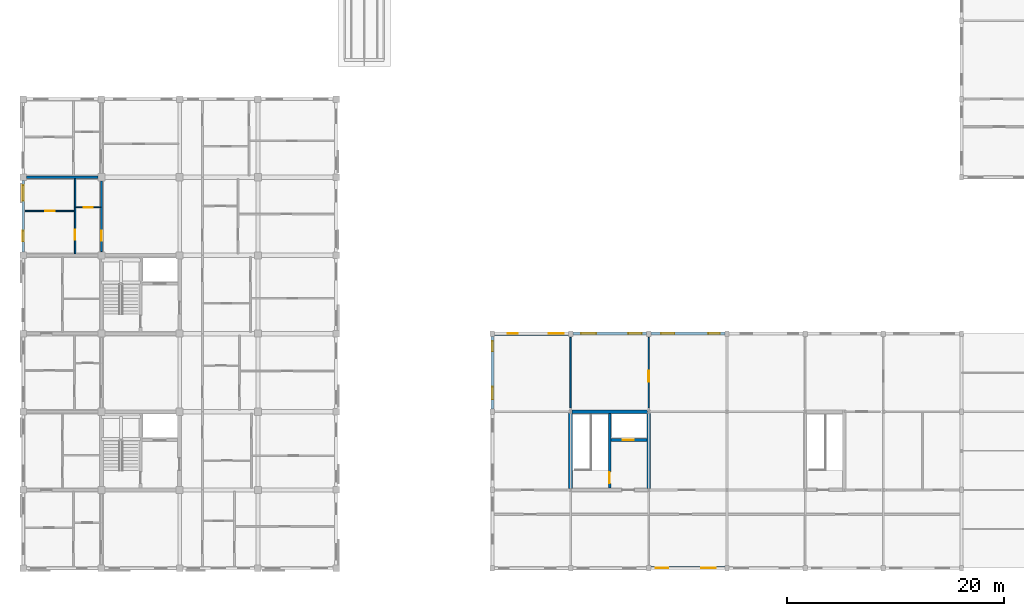
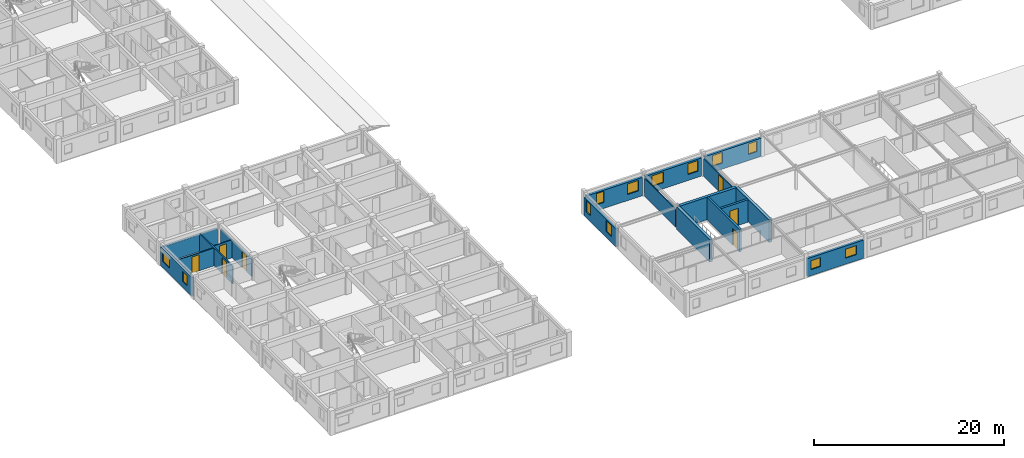
# One storey, part 17 of 50: 18 walls, 12 windows, 7 doors, 19 openings.
"""IFC4 building model written with IfcOpenShell, lengths in metres."""

from ifc_helpers import new_model, si_unit, direction, frame, frame_2d, origin, place, context, subcontext, project, spatial, rectangle, extrude, material, layer, layer_set, type_object, element, fill, save


model = new_model("IFC4")

# Units and contexts
model_context = context("Model", 3, precision=1e-05, world=origin(), true_north=direction((0.0, 1.0)))
body_context = subcontext(model_context, "Body", "Model", "MODEL_VIEW")
ifc_project = project(units=[si_unit("LENGTHUNIT", "METRE"), si_unit("AREAUNIT", "SQUARE_METRE"), si_unit("VOLUMEUNIT", "CUBIC_METRE"), si_unit("PLANEANGLEUNIT", "RADIAN"), si_unit("MASSUNIT", "GRAM", prefix="KILO"), si_unit("THERMODYNAMICTEMPERATUREUNIT", "KELVIN"), si_unit("POWERUNIT", "WATT")], contexts=[model_context])

# Site, building, storey
site_placement = place(None, origin())
site = spatial("IfcSite", under=ifc_project, at=site_placement, CompositionType="ELEMENT")
building_placement = place(site_placement, origin())
building = spatial("IfcBuilding", under=site, at=building_placement, Name="Tavuni Mirador Residences", CompositionType="ELEMENT")
storey_placement = place(building_placement, frame((0.0, 0.0, 4.5)))
storey = spatial("IfcBuildingStorey", under=building, at=storey_placement, Name="L01", CompositionType="ELEMENT", Elevation=4.5)

# Wall, opening, door
ifc_material_1 = material(Name="Precast concrete C40/50", Category="concrete")
ifc_layer_1 = layer(ifc_material_1, 0.25, Name="Precast concrete C40/50", Category="concrete")
ifc_layer_set_1 = layer_set([ifc_layer_1], Name="Precast concrete C40/50")
wall_type_1 = type_object("IfcWallType", Name="WT-COR250", PredefinedType="SHEAR", material=ifc_layer_set_1)
wall_1_placement = place(storey_placement, frame((57.60009765625, 14.580078125, 0.0), z_axis=(0.0, 0.0, 1.0), x_axis=(0.0, 1.0, 0.0)))
wall_1 = element("IfcWall", 1, at=wall_1_placement, inside=storey, type_object=wall_type_1, Name="CWALL-CS1-L01-MID", PredefinedType="SHEAR", context=body_context, shape_type="SweptSolid", body=[
    extrude(rectangle(XDim=6.83984375, YDim=0.25, at=frame_2d((3.419921875, 0.0))), origin(), (0.0, 0.0, 1.0), 2.889892578125),
])
opening_1_placement = place(wall_1_placement, frame((0.419921875, 0.0, 0.0)))
opening_1 = element("IfcOpeningElement", 2, at=opening_1_placement, cuts=wall_1, Name="Opening D-01", PredefinedType="OPENING", context=body_context, shape_type="SweptSolid", body=[
    extrude(rectangle(XDim=1.050048828125, YDim=2.14990234375, at=frame_2d((0.52490234375, 1.074951171875))), frame((0.0, 0.135009765625, 0.0), z_axis=(0.0, -1.0, 0.0), x_axis=(1.0, 0.0, 0.0)), (0.0, 0.0, 1.0), 0.27001953125),
])
ifc_material_2 = material(Name="Solid core iroko timber", Category="wood")
door_type_1 = type_object("IfcDoorType", Name="DT-ST1050", OperationType="NOTDEFINED", PredefinedType="DOOR", material=ifc_material_2)
door_1_placement = place(opening_1_placement, origin())
door_1 = element("IfcDoor", 3, at=door_1_placement, inside=storey, type_object=door_type_1, Name="DR-2361", OperationType="SINGLE_SWING_LEFT", OverallHeight=2.14990234375, OverallWidth=1.050048828125, PredefinedType="DOOR", context=body_context, shape_type="SweptSolid", body=[
    extrude(rectangle(XDim=1.050048828125, YDim=2.14990234375, at=frame_2d((0.52490234375, 1.074951171875))), frame((0.0, 0.02490234375, 0.0), z_axis=(0.0, -1.0, 0.0), x_axis=(1.0, 0.0, 0.0)), (0.0, 0.0, 1.0), 0.050048828125),
])
fill(opening_1, door_1)

wall_2_placement = place(storey_placement, frame((57.72509765625, 19.0, 0.0), z_axis=(0.0, 0.0, 1.0), x_axis=(1.0, 0.0, 0.0)))
wall_2 = element("IfcWall", 4, at=wall_2_placement, inside=storey, type_object=wall_type_1, Name="CWALL-CS1-L01-SHF", PredefinedType="SHEAR", context=body_context, shape_type="SweptSolid", body=[
    extrude(rectangle(XDim=3.294921875, YDim=0.25, at=frame_2d((1.6474609375, 0.0))), origin(), (0.0, 0.0, 1.0), 2.889892578125),
])
opening_2_placement = place(wall_2_placement, frame((1.10009765625, 0.0, 0.0)))
opening_2 = element("IfcOpeningElement", 5, at=opening_2_placement, cuts=wall_2, Name="Opening LD-02", PredefinedType="OPENING", context=body_context, shape_type="SweptSolid", body=[
    extrude(rectangle(XDim=1.0, YDim=2.199951171875, at=frame_2d((0.5, 1.10009765625))), frame((0.0, 0.135009765625, 0.0), z_axis=(0.0, -1.0, 0.0), x_axis=(1.0, 0.0, 0.0)), (0.0, 0.0, 1.0), 0.27001953125),
])
ifc_material_3 = material(Name="Structural steel S355", Category="steel")
door_type_2 = type_object("IfcDoorType", Name="DT-LD-PAX", OperationType="SLIDING_TO_LEFT", PredefinedType="DOOR", material=ifc_material_3)
door_2_placement = place(opening_2_placement, origin())
door_2 = element("IfcDoor", 6, at=door_2_placement, inside=storey, type_object=door_type_2, Name="Lift landing door PL-S1 L01", OperationType="SLIDING_TO_LEFT", OverallHeight=2.199951171875, OverallWidth=1.0, PredefinedType="DOOR", context=body_context, shape_type="SweptSolid", body=[
    extrude(rectangle(XDim=1.0, YDim=2.199951171875, at=frame_2d((0.5, 1.10009765625))), frame((0.0, 0.02490234375, 0.0), z_axis=(0.0, -1.0, 0.0), x_axis=(1.0, 0.0, 0.0)), (0.0, 0.0, 1.0), 0.050048828125),
])
fill(opening_2, door_2)

# Walls
ifc_layer_2 = layer(ifc_material_1, 0.360107421875, Name="Precast concrete C40/50", Category="concrete")
ifc_layer_set_2 = layer_set([ifc_layer_2], Name="Precast concrete C40/50")
wall_type_2 = type_object("IfcWallType", Name="WT-COR360", PredefinedType="SHEAR", material=ifc_layer_set_2)
for number, where, z_axis, x_axis, name in (
    (7, (54.0, 14.52001953125, 0.0), (0.0, 0.0, 1.0), (0.0, 1.0, 0.0), "CWALL-CS1-L01-W"),
    (8, (54.1201171875, 21.60009765625, 0.0), (0.0, 0.0, 1.0), (1.0, 0.0, 0.0), "CWALL-CS1-L01-N"),
    (9, (61.199951171875, 14.52001953125, 0.0), (0.0, 0.0, 1.0), (0.0, 1.0, 0.0), "CWALL-CS1-L01-E"),
):
    element("IfcWall", number, at=place(storey_placement, frame(where, z_axis=z_axis, x_axis=x_axis)), inside=storey, type_object=wall_type_2, Name=name, PredefinedType="SHEAR", context=body_context, shape_type="SweptSolid", body=[
        extrude(rectangle(XDim=6.9599609375, YDim=0.360107421875, at=frame_2d((3.47998046875, 0.0))), origin(), (0.0, 0.0, 1.0), 2.889892578125),
    ])

# Wall, opening, door
ifc_layer_3 = layer(ifc_material_1, 0.1650390625, Name="Precast concrete C40/50", Category="concrete")
ifc_layer_set_3 = layer_set([ifc_layer_3], Name="Precast concrete C40/50")
wall_type_3 = type_object("IfcWallType", Name="WT-CORR165", PredefinedType="PARTITIONING", material=ifc_layer_set_3)
wall_3_placement = place(storey_placement, frame((10.800048828125, 36.35009765625, 0.0), z_axis=(0.0, 0.0, 1.0), x_axis=(0.0, 1.0, 0.0)))
wall_3 = element("IfcWall", 10, at=wall_3_placement, inside=storey, type_object=wall_type_3, Name="CORW-BLK-A-L01-1-04", PredefinedType="PARTITIONING", context=body_context, shape_type="SweptSolid", body=[
    extrude(rectangle(XDim=6.5, YDim=0.1650390625, at=frame_2d((3.25, 0.0))), origin(), (0.0, 0.0, 1.0), 2.219970703125),
])
opening_3_placement = place(wall_3_placement, frame((1.0, 0.0, 0.0)))
opening_3 = element("IfcOpeningElement", 11, at=opening_3_placement, cuts=wall_3, Name="Opening D-19", PredefinedType="OPENING", context=body_context, shape_type="SweptSolid", body=[
    extrude(rectangle(XDim=0.93994140625, YDim=2.1201171875, at=frame_2d((0.469970703125, 1.06005859375))), frame((0.0, 0.092529296875, 0.0), z_axis=(0.0, -1.0, 0.0), x_axis=(1.0, 0.0, 0.0)), (0.0, 0.0, 1.0), 0.18505859375),
])
door_type_3 = type_object("IfcDoorType", Name="DT-FD60-940", OperationType="NOTDEFINED", PredefinedType="DOOR", material=ifc_material_2)
door_3_placement = place(opening_3_placement, origin())
door_3 = element("IfcDoor", 12, at=door_3_placement, inside=storey, type_object=door_type_3, Name="DR-2401", OperationType="SINGLE_SWING_RIGHT", OverallHeight=2.1201171875, OverallWidth=0.93994140625, PredefinedType="DOOR", context=body_context, shape_type="SweptSolid", body=[
    extrude(rectangle(XDim=0.93994140625, YDim=2.1201171875, at=frame_2d((0.469970703125, 1.06005859375))), frame((0.0, 0.02490234375, 0.0), z_axis=(0.0, -1.0, 0.0), x_axis=(1.0, 0.0, 0.0)), (0.0, 0.0, 1.0), 0.050048828125),
])
fill(opening_3, door_3)

# Wall, openings, windows
ifc_material_4 = material(Name="Sgraffito lime-rendered precast concrete C40/50", Category="concrete")
ifc_layer_4 = layer(ifc_material_4, 0.2548828125, Name="Sgraffito lime-rendered precast concrete C40/50", Category="concrete")
ifc_layer_set_4 = layer_set([ifc_layer_4], Name="Sgraffito lime-rendered precast concrete C40/50")
wall_type_4 = type_object("IfcWallType", Name="WT-EXT-PC255", PredefinedType="SOLIDWALL", material=ifc_layer_set_4)
wall_4_placement = place(storey_placement, frame((3.60009765625, 42.89990234375, 0.0), z_axis=(0.0, 0.0, 1.0), x_axis=(0.0, -1.0, 0.0)))
wall_4 = element("IfcWall", 13, at=wall_4_placement, inside=storey, type_object=wall_type_4, Name="EW-BLK-A-L01-W04", PredefinedType="SOLIDWALL", context=body_context, shape_type="SweptSolid", body=[
    extrude(rectangle(XDim=6.599853515625, YDim=0.2548828125, at=frame_2d((3.2998046875, 0.0))), origin(), (0.0, 0.0, 1.0), 2.43994140625),
])
opening_4_placement = place(wall_4_placement, frame((0.449951171875, 0.0, 0.780029296875)))
opening_4 = element("IfcOpeningElement", 14, at=opening_4_placement, cuts=wall_4, Name="Opening WN-08", PredefinedType="OPENING", context=body_context, shape_type="SweptSolid", body=[
    extrude(rectangle(XDim=1.39990234375, YDim=1.14990234375, at=frame_2d((0.699951171875, 0.574951171875))), frame((0.0, 0.137451171875, 0.0), z_axis=(0.0, -1.0, 0.0), x_axis=(1.0, 0.0, 0.0)), (0.0, 0.0, 1.0), 0.27490234375),
])
opening_5_placement = place(wall_4_placement, frame((4.64990234375, 0.0, 0.780029296875)))
opening_5 = element("IfcOpeningElement", 15, at=opening_5_placement, cuts=wall_4, Name="Opening WN-10", PredefinedType="OPENING", context=body_context, shape_type="SweptSolid", body=[
    extrude(rectangle(XDim=0.9599609375, YDim=1.260009765625, at=frame_2d((0.47998046875, 0.6298828125))), frame((0.0, 0.137451171875, 0.0), z_axis=(0.0, -1.0, 0.0), x_axis=(1.0, 0.0, 0.0)), (0.0, 0.0, 1.0), 0.27490234375),
])
ifc_material_5 = material(Name="Laminated solar-control glass", Category="glass")
window_type_1 = type_object("IfcWindowType", Name="WNT-08", PartitioningType="SINGLE_PANEL", PredefinedType="WINDOW", material=ifc_material_5)
window_1_placement = place(opening_4_placement, origin())
window_1 = element("IfcWindow", 16, at=window_1_placement, inside=storey, type_object=window_type_1, Name="WIN-0066", OverallHeight=1.14990234375, OverallWidth=1.39990234375, PartitioningType="SINGLE_PANEL", PredefinedType="WINDOW", context=body_context, shape_type="SweptSolid", body=[
    extrude(rectangle(XDim=1.39990234375, YDim=1.14990234375, at=frame_2d((0.699951171875, 0.574951171875))), frame((0.0, 0.030029296875, 0.0), z_axis=(0.0, -1.0, 0.0), x_axis=(1.0, 0.0, 0.0)), (0.0, 0.0, 1.0), 0.06005859375),
])
fill(opening_4, window_1)
window_type_2 = type_object("IfcWindowType", Name="WNT-10", PartitioningType="SINGLE_PANEL", PredefinedType="WINDOW", material=ifc_material_5)
window_2_placement = place(opening_5_placement, origin())
window_2 = element("IfcWindow", 17, at=window_2_placement, inside=storey, type_object=window_type_2, Name="WIN-0067", OverallHeight=1.260009765625, OverallWidth=0.9599609375, PartitioningType="SINGLE_PANEL", PredefinedType="WINDOW", context=body_context, shape_type="SweptSolid", body=[
    extrude(rectangle(XDim=0.9599609375, YDim=1.260009765625, at=frame_2d((0.47998046875, 0.6298828125))), frame((0.0, 0.030029296875, 0.0), z_axis=(0.0, -1.0, 0.0), x_axis=(1.0, 0.0, 0.0)), (0.0, 0.0, 1.0), 0.06005859375),
])
fill(opening_5, window_2)

ifc_layer_5 = layer(ifc_material_4, 0.2900390625, Name="Sgraffito lime-rendered precast concrete C40/50", Category="concrete")
ifc_layer_set_5 = layer_set([ifc_layer_5], Name="Sgraffito lime-rendered precast concrete C40/50")
wall_type_5 = type_object("IfcWallType", Name="WT-EXT-PC290", PredefinedType="SOLIDWALL", material=ifc_layer_set_5)
wall_5_placement = place(storey_placement, frame((61.39990234375, 7.199951171875, 0.0), z_axis=(0.0, 0.0, 1.0), x_axis=(1.0, 0.0, 0.0)))
wall_5 = element("IfcWall", 18, at=wall_5_placement, inside=storey, type_object=wall_type_5, Name="EW-PAV-SHOP-L01-S02", PredefinedType="SOLIDWALL", context=body_context, shape_type="SweptSolid", body=[
    extrude(rectangle(XDim=6.800048828125, YDim=0.2900390625, at=frame_2d((3.39990234375, 0.0))), origin(), (0.0, 0.0, 1.0), 2.340087890625),
])
opening_6_placement = place(wall_5_placement, frame((0.449951171875, 0.0, 0.780029296875)))
opening_6 = element("IfcOpeningElement", 19, at=opening_6_placement, cuts=wall_5, Name="Opening WN-05", PredefinedType="OPENING", context=body_context, shape_type="SweptSolid", body=[
    extrude(rectangle(XDim=1.159912109375, YDim=1.14990234375, at=frame_2d((0.580078125, 0.574951171875))), frame((0.0, 0.155029296875, 0.0), z_axis=(0.0, -1.0, 0.0), x_axis=(1.0, 0.0, 0.0)), (0.0, 0.0, 1.0), 0.31005859375),
])
opening_7_placement = place(wall_5_placement, frame((4.64990234375, 0.0, 0.780029296875)))
opening_7 = element("IfcOpeningElement", 20, at=opening_7_placement, cuts=wall_5, Name="Opening WN-07", PredefinedType="OPENING", context=body_context, shape_type="SweptSolid", body=[
    extrude(rectangle(XDim=1.320068359375, YDim=1.14990234375, at=frame_2d((0.66015625, 0.574951171875))), frame((0.0, 0.155029296875, 0.0), z_axis=(0.0, -1.0, 0.0), x_axis=(1.0, 0.0, 0.0)), (0.0, 0.0, 1.0), 0.31005859375),
])
window_type_3 = type_object("IfcWindowType", Name="WNT-05", PartitioningType="SINGLE_PANEL", PredefinedType="WINDOW", material=ifc_material_5)
window_3_placement = place(opening_6_placement, origin())
window_3 = element("IfcWindow", 21, at=window_3_placement, inside=storey, type_object=window_type_3, Name="WIN-1893", OverallHeight=1.14990234375, OverallWidth=1.159912109375, PartitioningType="SINGLE_PANEL", PredefinedType="WINDOW", context=body_context, shape_type="SweptSolid", body=[
    extrude(rectangle(XDim=1.159912109375, YDim=1.14990234375, at=frame_2d((0.580078125, 0.574951171875))), frame((0.0, 0.030029296875, 0.0), z_axis=(0.0, -1.0, 0.0), x_axis=(1.0, 0.0, 0.0)), (0.0, 0.0, 1.0), 0.06005859375),
])
fill(opening_6, window_3)
window_type_4 = type_object("IfcWindowType", Name="WNT-07", PartitioningType="SINGLE_PANEL", PredefinedType="WINDOW", material=ifc_material_5)
window_4_placement = place(opening_7_placement, origin())
window_4 = element("IfcWindow", 22, at=window_4_placement, inside=storey, type_object=window_type_4, Name="WIN-1894", OverallHeight=1.14990234375, OverallWidth=1.320068359375, PartitioningType="SINGLE_PANEL", PredefinedType="WINDOW", context=body_context, shape_type="SweptSolid", body=[
    extrude(rectangle(XDim=1.320068359375, YDim=1.14990234375, at=frame_2d((0.66015625, 0.574951171875))), frame((0.0, 0.030029296875, 0.0), z_axis=(0.0, -1.0, 0.0), x_axis=(1.0, 0.0, 0.0)), (0.0, 0.0, 1.0), 0.06005859375),
])
fill(opening_7, window_4)

wall_6_placement = place(storey_placement, frame((68.199951171875, 28.800048828125, 0.0), z_axis=(0.0, 0.0, 1.0), x_axis=(-1.0, 0.0, 0.0)))
wall_6 = element("IfcWall", 23, at=wall_6_placement, inside=storey, type_object=wall_type_5, Name="EW-PAV-SHOP-L01-N02", PredefinedType="SOLIDWALL", context=body_context, shape_type="SweptSolid", body=[
    extrude(rectangle(XDim=6.800048828125, YDim=0.2900390625, at=frame_2d((3.39990234375, 0.0))), origin(), (0.0, 0.0, 1.0), 2.340087890625),
])
opening_8_placement = place(wall_6_placement, frame((0.449951171875, 0.0, 0.780029296875)))
opening_8 = element("IfcOpeningElement", 24, at=opening_8_placement, cuts=wall_6, Name="Opening WN-19", PredefinedType="OPENING", context=body_context, shape_type="SweptSolid", body=[
    extrude(rectangle(XDim=1.06005859375, YDim=1.360107421875, at=frame_2d((0.530029296875, 0.68017578125))), frame((0.0, 0.155029296875, 0.0), z_axis=(0.0, -1.0, 0.0), x_axis=(1.0, 0.0, 0.0)), (0.0, 0.0, 1.0), 0.31005859375),
])
opening_9_placement = place(wall_6_placement, frame((4.64990234375, 0.0, 0.780029296875)))
opening_9 = element("IfcOpeningElement", 25, at=opening_9_placement, cuts=wall_6, Name="Opening WN-21", PredefinedType="OPENING", context=body_context, shape_type="SweptSolid", body=[
    extrude(rectangle(XDim=1.219970703125, YDim=1.360107421875, at=frame_2d((0.60986328125, 0.68017578125))), frame((0.0, 0.155029296875, 0.0), z_axis=(0.0, -1.0, 0.0), x_axis=(1.0, 0.0, 0.0)), (0.0, 0.0, 1.0), 0.31005859375),
])
window_type_5 = type_object("IfcWindowType", Name="WNT-19", PartitioningType="SINGLE_PANEL", PredefinedType="WINDOW", material=ifc_material_5)
window_5_placement = place(opening_8_placement, origin())
window_5 = element("IfcWindow", 26, at=window_5_placement, inside=storey, type_object=window_type_5, Name="WIN-1907", OverallHeight=1.360107421875, OverallWidth=1.06005859375, PartitioningType="SINGLE_PANEL", PredefinedType="WINDOW", context=body_context, shape_type="SweptSolid", body=[
    extrude(rectangle(XDim=1.06005859375, YDim=1.360107421875, at=frame_2d((0.530029296875, 0.68017578125))), frame((0.0, 0.030029296875, 0.0), z_axis=(0.0, -1.0, 0.0), x_axis=(1.0, 0.0, 0.0)), (0.0, 0.0, 1.0), 0.06005859375),
])
fill(opening_8, window_5)
window_type_6 = type_object("IfcWindowType", Name="WNT-21", PartitioningType="SINGLE_PANEL", PredefinedType="WINDOW", material=ifc_material_5)
window_6_placement = place(opening_9_placement, origin())
window_6 = element("IfcWindow", 27, at=window_6_placement, inside=storey, type_object=window_type_6, Name="WIN-1908", OverallHeight=1.360107421875, OverallWidth=1.219970703125, PartitioningType="SINGLE_PANEL", PredefinedType="WINDOW", context=body_context, shape_type="SweptSolid", body=[
    extrude(rectangle(XDim=1.219970703125, YDim=1.360107421875, at=frame_2d((0.60986328125, 0.68017578125))), frame((0.0, 0.030029296875, 0.0), z_axis=(0.0, -1.0, 0.0), x_axis=(1.0, 0.0, 0.0)), (0.0, 0.0, 1.0), 0.06005859375),
])
fill(opening_9, window_6)

wall_7_placement = place(storey_placement, frame((46.800048828125, 28.550048828125, 0.0), z_axis=(0.0, 0.0, 1.0), x_axis=(0.0, -1.0, 0.0)))
wall_7 = element("IfcWall", 28, at=wall_7_placement, inside=storey, type_object=wall_type_5, Name="EW-PAV-SHOP-L01-W02", PredefinedType="SOLIDWALL", context=body_context, shape_type="SweptSolid", body=[
    extrude(rectangle(XDim=6.699951171875, YDim=0.2900390625, at=frame_2d((3.35009765625, 0.0))), origin(), (0.0, 0.0, 1.0), 2.340087890625),
])
opening_10_placement = place(wall_7_placement, frame((0.449951171875, 0.0, 0.780029296875)))
opening_10 = element("IfcOpeningElement", 29, at=opening_10_placement, cuts=wall_7, Name="Opening WN-25", PredefinedType="OPENING", context=body_context, shape_type="SweptSolid", body=[
    extrude(rectangle(XDim=0.93994140625, YDim=1.43994140625, at=frame_2d((0.469970703125, 0.719970703125))), frame((0.0, 0.155029296875, 0.0), z_axis=(0.0, -1.0, 0.0), x_axis=(1.0, 0.0, 0.0)), (0.0, 0.0, 1.0), 0.31005859375),
])
opening_11_placement = place(wall_7_placement, frame((4.64990234375, 0.0, 0.780029296875)))
opening_11 = element("IfcOpeningElement", 30, at=opening_11_placement, cuts=wall_7, Name="Opening WN-27", PredefinedType="OPENING", context=body_context, shape_type="SweptSolid", body=[
    extrude(rectangle(XDim=1.14990234375, YDim=1.43994140625, at=frame_2d((0.574951171875, 0.719970703125))), frame((0.0, 0.155029296875, 0.0), z_axis=(0.0, -1.0, 0.0), x_axis=(1.0, 0.0, 0.0)), (0.0, 0.0, 1.0), 0.31005859375),
])
window_type_7 = type_object("IfcWindowType", Name="WNT-25", PartitioningType="SINGLE_PANEL", PredefinedType="WINDOW", material=ifc_material_5)
window_7_placement = place(opening_10_placement, origin())
window_7 = element("IfcWindow", 31, at=window_7_placement, inside=storey, type_object=window_type_7, Name="WIN-1913", OverallHeight=1.43994140625, OverallWidth=0.93994140625, PartitioningType="SINGLE_PANEL", PredefinedType="WINDOW", context=body_context, shape_type="SweptSolid", body=[
    extrude(rectangle(XDim=0.93994140625, YDim=1.43994140625, at=frame_2d((0.469970703125, 0.719970703125))), frame((0.0, 0.030029296875, 0.0), z_axis=(0.0, -1.0, 0.0), x_axis=(1.0, 0.0, 0.0)), (0.0, 0.0, 1.0), 0.06005859375),
])
fill(opening_10, window_7)
window_type_8 = type_object("IfcWindowType", Name="WNT-27", PartitioningType="SINGLE_PANEL", PredefinedType="WINDOW", material=ifc_material_5)
window_8_placement = place(opening_11_placement, origin())
window_8 = element("IfcWindow", 32, at=window_8_placement, inside=storey, type_object=window_type_8, Name="WIN-1914", OverallHeight=1.43994140625, OverallWidth=1.14990234375, PartitioningType="SINGLE_PANEL", PredefinedType="WINDOW", context=body_context, shape_type="SweptSolid", body=[
    extrude(rectangle(XDim=1.14990234375, YDim=1.43994140625, at=frame_2d((0.574951171875, 0.719970703125))), frame((0.0, 0.030029296875, 0.0), z_axis=(0.0, -1.0, 0.0), x_axis=(1.0, 0.0, 0.0)), (0.0, 0.0, 1.0), 0.06005859375),
])
fill(opening_11, window_8)

ifc_layer_6 = layer(ifc_material_4, 0.304931640625, Name="Sgraffito lime-rendered precast concrete C40/50", Category="concrete")
ifc_layer_set_6 = layer_set([ifc_layer_6], Name="Sgraffito lime-rendered precast concrete C40/50")
wall_type_6 = type_object("IfcWallType", Name="WT-EXT-PC305", PredefinedType="SOLIDWALL", material=ifc_layer_set_6)
wall_8_placement = place(storey_placement, frame((61.0, 28.800048828125, 0.0), z_axis=(0.0, 0.0, 1.0), x_axis=(-1.0, 0.0, 0.0)))
wall_8 = element("IfcWall", 33, at=wall_8_placement, inside=storey, type_object=wall_type_6, Name="EW-PAV-SHOP-L01-N01", PredefinedType="SOLIDWALL", context=body_context, shape_type="SweptSolid", body=[
    extrude(rectangle(XDim=6.800048828125, YDim=0.304931640625, at=frame_2d((3.39990234375, 0.0))), origin(), (0.0, 0.0, 1.0), 2.340087890625),
])
opening_12_placement = place(wall_8_placement, frame((0.449951171875, 0.0, 0.780029296875)))
opening_12 = element("IfcOpeningElement", 34, at=opening_12_placement, cuts=wall_8, Name="Opening WN-21", PredefinedType="OPENING", context=body_context, shape_type="SweptSolid", body=[
    extrude(rectangle(XDim=1.219970703125, YDim=1.360107421875, at=frame_2d((0.60986328125, 0.68017578125))), frame((0.0, 0.16259765625, 0.0), z_axis=(0.0, -1.0, 0.0), x_axis=(1.0, 0.0, 0.0)), (0.0, 0.0, 1.0), 0.324951171875),
])
opening_13_placement = place(wall_8_placement, frame((4.64990234375, 0.0, 0.780029296875)))
opening_13 = element("IfcOpeningElement", 35, at=opening_13_placement, cuts=wall_8, Name="Opening WN-23", PredefinedType="OPENING", context=body_context, shape_type="SweptSolid", body=[
    extrude(rectangle(XDim=1.3798828125, YDim=1.360107421875, at=frame_2d((0.68994140625, 0.68017578125))), frame((0.0, 0.16259765625, 0.0), z_axis=(0.0, -1.0, 0.0), x_axis=(1.0, 0.0, 0.0)), (0.0, 0.0, 1.0), 0.324951171875),
])
window_9_placement = place(opening_12_placement, origin())
window_9 = element("IfcWindow", 36, at=window_9_placement, inside=storey, type_object=window_type_6, Name="WIN-1909", OverallHeight=1.360107421875, OverallWidth=1.219970703125, PartitioningType="SINGLE_PANEL", PredefinedType="WINDOW", context=body_context, shape_type="SweptSolid", body=[
    extrude(rectangle(XDim=1.219970703125, YDim=1.360107421875, at=frame_2d((0.60986328125, 0.68017578125))), frame((0.0, 0.030029296875, 0.0), z_axis=(0.0, -1.0, 0.0), x_axis=(1.0, 0.0, 0.0)), (0.0, 0.0, 1.0), 0.06005859375),
])
fill(opening_12, window_9)
window_type_9 = type_object("IfcWindowType", Name="WNT-23", PartitioningType="SINGLE_PANEL", PredefinedType="WINDOW", material=ifc_material_5)
window_10_placement = place(opening_13_placement, origin())
window_10 = element("IfcWindow", 37, at=window_10_placement, inside=storey, type_object=window_type_9, Name="WIN-1910", OverallHeight=1.360107421875, OverallWidth=1.3798828125, PartitioningType="SINGLE_PANEL", PredefinedType="WINDOW", context=body_context, shape_type="SweptSolid", body=[
    extrude(rectangle(XDim=1.3798828125, YDim=1.360107421875, at=frame_2d((0.68994140625, 0.68017578125))), frame((0.0, 0.030029296875, 0.0), z_axis=(0.0, -1.0, 0.0), x_axis=(1.0, 0.0, 0.0)), (0.0, 0.0, 1.0), 0.06005859375),
])
fill(opening_13, window_10)

ifc_layer_7 = layer(ifc_material_4, 0.31494140625, Name="Sgraffito lime-rendered precast concrete C40/50", Category="concrete")
ifc_layer_set_7 = layer_set([ifc_layer_7], Name="Sgraffito lime-rendered precast concrete C40/50")
wall_type_7 = type_object("IfcWallType", Name="WT-EXT-PC315", PredefinedType="SOLIDWALL", material=ifc_layer_set_7)
wall_9_placement = place(storey_placement, frame((53.800048828125, 28.800048828125, 0.0), z_axis=(0.0, 0.0, 1.0), x_axis=(-1.0, 0.0, 0.0)))
wall_9 = element("IfcWall", 38, at=wall_9_placement, inside=storey, type_object=wall_type_7, Name="EW-PAV-SHOP-L01-N00", PredefinedType="SOLIDWALL", context=body_context, shape_type="SweptSolid", body=[
    extrude(rectangle(XDim=6.800048828125, YDim=0.31494140625, at=frame_2d((3.39990234375, 0.0))), origin(), (0.0, 0.0, 1.0), 2.340087890625),
])
opening_14_placement = place(wall_9_placement, frame((0.449951171875, 0.0, 0.780029296875)))
opening_14 = element("IfcOpeningElement", 39, at=opening_14_placement, cuts=wall_9, Name="Opening WN-23", PredefinedType="OPENING", context=body_context, shape_type="SweptSolid", body=[
    extrude(rectangle(XDim=1.3798828125, YDim=1.360107421875, at=frame_2d((0.68994140625, 0.68017578125))), frame((0.0, 0.16748046875, 0.0), z_axis=(0.0, -1.0, 0.0), x_axis=(1.0, 0.0, 0.0)), (0.0, 0.0, 1.0), 0.3349609375),
])
opening_15_placement = place(wall_9_placement, frame((4.64990234375, 0.0, 0.780029296875)))
opening_15 = element("IfcOpeningElement", 40, at=opening_15_placement, cuts=wall_9, Name="Opening WN-25", PredefinedType="OPENING", context=body_context, shape_type="SweptSolid", body=[
    extrude(rectangle(XDim=0.93994140625, YDim=1.43994140625, at=frame_2d((0.469970703125, 0.719970703125))), frame((0.0, 0.16748046875, 0.0), z_axis=(0.0, -1.0, 0.0), x_axis=(1.0, 0.0, 0.0)), (0.0, 0.0, 1.0), 0.3349609375),
])
window_11_placement = place(opening_14_placement, origin())
window_11 = element("IfcWindow", 41, at=window_11_placement, inside=storey, type_object=window_type_9, Name="WIN-1911", OverallHeight=1.360107421875, OverallWidth=1.3798828125, PartitioningType="SINGLE_PANEL", PredefinedType="WINDOW", context=body_context, shape_type="SweptSolid", body=[
    extrude(rectangle(XDim=1.3798828125, YDim=1.360107421875, at=frame_2d((0.68994140625, 0.68017578125))), frame((0.0, 0.030029296875, 0.0), z_axis=(0.0, -1.0, 0.0), x_axis=(1.0, 0.0, 0.0)), (0.0, 0.0, 1.0), 0.06005859375),
])
fill(opening_14, window_11)
window_12_placement = place(opening_15_placement, origin())
window_12 = element("IfcWindow", 42, at=window_12_placement, inside=storey, type_object=window_type_7, Name="WIN-1912", OverallHeight=1.43994140625, OverallWidth=0.93994140625, PartitioningType="SINGLE_PANEL", PredefinedType="WINDOW", context=body_context, shape_type="SweptSolid", body=[
    extrude(rectangle(XDim=0.93994140625, YDim=1.43994140625, at=frame_2d((0.469970703125, 0.719970703125))), frame((0.0, 0.030029296875, 0.0), z_axis=(0.0, -1.0, 0.0), x_axis=(1.0, 0.0, 0.0)), (0.0, 0.0, 1.0), 0.06005859375),
])
fill(opening_15, window_12)

# Wall, opening, door
ifc_material_6 = material(Name="Acoustic gypsum and concrete block partition", Category="concrete")
ifc_layer_8 = layer(ifc_material_6, 0.10498046875, Name="Acoustic gypsum and concrete block partition", Category="concrete")
ifc_layer_set_8 = layer_set([ifc_layer_8], Name="Acoustic gypsum and concrete block partition")
wall_type_8 = type_object("IfcWallType", Name="WT-PART105", PredefinedType="PARTITIONING", material=ifc_layer_set_8)
wall_10_placement = place(storey_placement, frame((8.449951171875, 40.419921875, 0.0), z_axis=(0.0, 0.0, 1.0), x_axis=(1.0, 0.0, 0.0)))
wall_10 = element("IfcWall", 43, at=wall_10_placement, inside=storey, type_object=wall_type_8, Name="PW-BLK-A-L01-W04-IN1", PredefinedType="PARTITIONING", context=body_context, shape_type="SweptSolid", body=[
    extrude(rectangle(XDim=2.260009765625, YDim=0.10498046875, at=frame_2d((1.1298828125, 0.0))), origin(), (0.0, 0.0, 1.0), 2.304931640625),
])
opening_16_placement = place(wall_10_placement, frame((0.695068359375, 0.0, 0.0)))
opening_16 = element("IfcOpeningElement", 44, at=opening_16_placement, cuts=wall_10, Name="Opening D-10", PredefinedType="OPENING", context=body_context, shape_type="SweptSolid", body=[
    extrude(rectangle(XDim=0.8701171875, YDim=2.050048828125, at=frame_2d((0.43505859375, 1.02490234375))), frame((0.0, 0.0625, 0.0), z_axis=(0.0, -1.0, 0.0), x_axis=(1.0, 0.0, 0.0)), (0.0, 0.0, 1.0), 0.125),
])
door_type_4 = type_object("IfcDoorType", Name="DT-WC870", OperationType="NOTDEFINED", PredefinedType="DOOR", material=ifc_material_2)
door_4_placement = place(opening_16_placement, origin())
door_4 = element("IfcDoor", 45, at=door_4_placement, inside=storey, type_object=door_type_4, Name="DR-2978", OperationType="SINGLE_SWING_LEFT", OverallHeight=2.050048828125, OverallWidth=0.8701171875, PredefinedType="DOOR", context=body_context, shape_type="SweptSolid", body=[
    extrude(rectangle(XDim=0.8701171875, YDim=2.050048828125, at=frame_2d((0.43505859375, 1.02490234375))), frame((0.0, 0.02490234375, 0.0), z_axis=(0.0, -1.0, 0.0), x_axis=(1.0, 0.0, 0.0)), (0.0, 0.0, 1.0), 0.050048828125),
])
fill(opening_16, door_4)

ifc_layer_9 = layer(ifc_material_6, 0.114990234375, Name="Acoustic gypsum and concrete block partition", Category="concrete")
ifc_layer_set_9 = layer_set([ifc_layer_9], Name="Acoustic gypsum and concrete block partition")
wall_type_9 = type_object("IfcWallType", Name="WT-PART115", PredefinedType="PARTITIONING", material=ifc_layer_set_9)
wall_11_placement = place(storey_placement, frame((3.77490234375, 40.080078125, 0.0), z_axis=(0.0, 0.0, 1.0), x_axis=(1.0, 0.0, 0.0)))
wall_11 = element("IfcWall", 46, at=wall_11_placement, inside=storey, type_object=wall_type_9, Name="PW-BLK-A-L01-W04-OUT", PredefinedType="PARTITIONING", context=body_context, shape_type="SweptSolid", body=[
    extrude(rectangle(XDim=4.53515625, YDim=0.114990234375, at=frame_2d((2.267578125, 0.0))), origin(), (0.0, 0.0, 1.0), 2.304931640625),
])
opening_17_placement = place(wall_11_placement, frame((1.827392578125, 0.0, 0.0)))
opening_17 = element("IfcOpeningElement", 47, at=opening_17_placement, cuts=wall_11, Name="Opening D-08", PredefinedType="OPENING", context=body_context, shape_type="SweptSolid", body=[
    extrude(rectangle(XDim=0.8798828125, YDim=2.080078125, at=frame_2d((0.43994140625, 1.0400390625))), frame((0.0, 0.0673828125, 0.0), z_axis=(0.0, -1.0, 0.0), x_axis=(1.0, 0.0, 0.0)), (0.0, 0.0, 1.0), 0.135009765625),
])
door_type_5 = type_object("IfcDoorType", Name="DT-BED880", OperationType="NOTDEFINED", PredefinedType="DOOR", material=ifc_material_2)
door_5_placement = place(opening_17_placement, origin())
door_5 = element("IfcDoor", 48, at=door_5_placement, inside=storey, type_object=door_type_5, Name="DR-2977", OperationType="SINGLE_SWING_RIGHT", OverallHeight=2.080078125, OverallWidth=0.8798828125, PredefinedType="DOOR", context=body_context, shape_type="SweptSolid", body=[
    extrude(rectangle(XDim=0.8798828125, YDim=2.080078125, at=frame_2d((0.43994140625, 1.0400390625))), frame((0.0, 0.02490234375, 0.0), z_axis=(0.0, -1.0, 0.0), x_axis=(1.0, 0.0, 0.0)), (0.0, 0.0, 1.0), 0.050048828125),
])
fill(opening_17, door_5)

# Wall
ifc_layer_10 = layer(ifc_material_6, 0.125, Name="Acoustic gypsum and concrete block partition", Category="concrete")
ifc_layer_set_10 = layer_set([ifc_layer_10], Name="Acoustic gypsum and concrete block partition")
wall_type_10 = type_object("IfcWallType", Name="WT-PART125", PredefinedType="PARTITIONING", material=ifc_layer_set_10)
wall_12_placement = place(storey_placement, frame((54.0, 21.949951171875, 0.0), z_axis=(0.0, 0.0, 1.0), x_axis=(0.0, 1.0, 0.0)))
element("IfcWall", 49, at=wall_12_placement, inside=storey, type_object=wall_type_10, Name="PW-SHOP-L01-NW", PredefinedType="PARTITIONING", context=body_context, shape_type="SweptSolid", body=[
    extrude(rectangle(XDim=6.5, YDim=0.125, at=frame_2d((3.25, 0.0))), origin(), (0.0, 0.0, 1.0), 2.2900390625),
])

# Wall, opening, door
wall_13_placement = place(storey_placement, frame((61.199951171875, 21.949951171875, 0.0), z_axis=(0.0, 0.0, 1.0), x_axis=(0.0, 1.0, 0.0)))
wall_13 = element("IfcWall", 50, at=wall_13_placement, inside=storey, type_object=wall_type_10, Name="PW-SHOP-L01-NE", PredefinedType="PARTITIONING", context=body_context, shape_type="SweptSolid", body=[
    extrude(rectangle(XDim=6.5, YDim=0.125, at=frame_2d((3.25, 0.0))), origin(), (0.0, 0.0, 1.0), 2.2900390625),
])
opening_18_placement = place(wall_13_placement, frame((2.39990234375, 0.0, 0.0)))
opening_18 = element("IfcOpeningElement", 51, at=opening_18_placement, cuts=wall_13, Name="Opening D-13", PredefinedType="OPENING", context=body_context, shape_type="SweptSolid", body=[
    extrude(rectangle(XDim=1.02001953125, YDim=2.14990234375, at=frame_2d((0.510009765625, 1.074951171875))), frame((0.0, 0.072509765625, 0.0), z_axis=(0.0, -1.0, 0.0), x_axis=(1.0, 0.0, 0.0)), (0.0, 0.0, 1.0), 0.14501953125),
])
door_type_6 = type_object("IfcDoorType", Name="DT-MTG1020", OperationType="NOTDEFINED", PredefinedType="DOOR", material=ifc_material_2)
door_6_placement = place(opening_18_placement, origin())
door_6 = element("IfcDoor", 52, at=door_6_placement, inside=storey, type_object=door_type_6, Name="DR-4832", OperationType="SINGLE_SWING_LEFT", OverallHeight=2.14990234375, OverallWidth=1.02001953125, PredefinedType="DOOR", context=body_context, shape_type="SweptSolid", body=[
    extrude(rectangle(XDim=1.02001953125, YDim=2.14990234375, at=frame_2d((0.510009765625, 1.074951171875))), frame((0.0, 0.02490234375, 0.0), z_axis=(0.0, -1.0, 0.0), x_axis=(1.0, 0.0, 0.0)), (0.0, 0.0, 1.0), 0.050048828125),
])
fill(opening_18, door_6)

ifc_layer_11 = layer(ifc_material_6, 0.139892578125, Name="Acoustic gypsum and concrete block partition", Category="concrete")
ifc_layer_set_11 = layer_set([ifc_layer_11], Name="Acoustic gypsum and concrete block partition")
wall_type_11 = type_object("IfcWallType", Name="WT-PART140", PredefinedType="PARTITIONING", material=ifc_layer_set_11)
wall_14_placement = place(storey_placement, frame((8.3798828125, 36.139892578125, 0.0), z_axis=(0.0, 0.0, 1.0), x_axis=(0.0, 1.0, 0.0)))
wall_14 = element("IfcWall", 53, at=wall_14_placement, inside=storey, type_object=wall_type_11, Name="PW-BLK-A-L01-W04-MID", PredefinedType="PARTITIONING", context=body_context, shape_type="SweptSolid", body=[
    extrude(rectangle(XDim=6.920166015625, YDim=0.139892578125, at=frame_2d((3.4599609375, 0.0))), origin(), (0.0, 0.0, 1.0), 2.304931640625),
])
opening_19_placement = place(wall_14_placement, frame((1.31005859375, 0.0, 0.0)))
opening_19 = element("IfcOpeningElement", 54, at=opening_19_placement, cuts=wall_14, Name="Opening D-06", PredefinedType="OPENING", context=body_context, shape_type="SweptSolid", body=[
    extrude(rectangle(XDim=0.919921875, YDim=2.10009765625, at=frame_2d((0.4599609375, 1.050048828125))), frame((0.0, 0.080078125, 0.0), z_axis=(0.0, -1.0, 0.0), x_axis=(1.0, 0.0, 0.0)), (0.0, 0.0, 1.0), 0.159912109375),
])
door_type_7 = type_object("IfcDoorType", Name="DT-INT920", OperationType="NOTDEFINED", PredefinedType="DOOR", material=ifc_material_2)
door_7_placement = place(opening_19_placement, origin())
door_7 = element("IfcDoor", 55, at=door_7_placement, inside=storey, type_object=door_type_7, Name="DR-2979", OperationType="SINGLE_SWING_RIGHT", OverallHeight=2.10009765625, OverallWidth=0.919921875, PredefinedType="DOOR", context=body_context, shape_type="SweptSolid", body=[
    extrude(rectangle(XDim=0.919921875, YDim=2.10009765625, at=frame_2d((0.4599609375, 1.050048828125))), frame((0.0, 0.02490234375, 0.0), z_axis=(0.0, -1.0, 0.0), x_axis=(1.0, 0.0, 0.0)), (0.0, 0.0, 1.0), 0.050048828125),
])
fill(opening_19, door_7)

# Wall
ifc_layer_12 = layer(ifc_material_1, 0.264892578125, Name="Precast concrete C40/50", Category="concrete")
ifc_layer_set_12 = layer_set([ifc_layer_12], Name="Precast concrete C40/50")
wall_type_12 = type_object("IfcWallType", Name="WT-XW265", PredefinedType="SOLIDWALL", material=ifc_layer_set_12)
wall_15_placement = place(storey_placement, frame((3.89990234375, 43.199951171875, 0.0), z_axis=(0.0, 0.0, 1.0), x_axis=(1.0, 0.0, 0.0)))
element("IfcWall", 56, at=wall_15_placement, inside=storey, type_object=wall_type_12, Name="XW-BLK-A-L01-W-05", PredefinedType="SOLIDWALL", context=body_context, shape_type="SweptSolid", body=[
    extrude(rectangle(XDim=6.5751953125, YDim=0.264892578125, at=frame_2d((3.28759765625, 0.0))), origin(), (0.0, 0.0, 1.0), 2.169921875),
])

save(model, "model.ifc")
